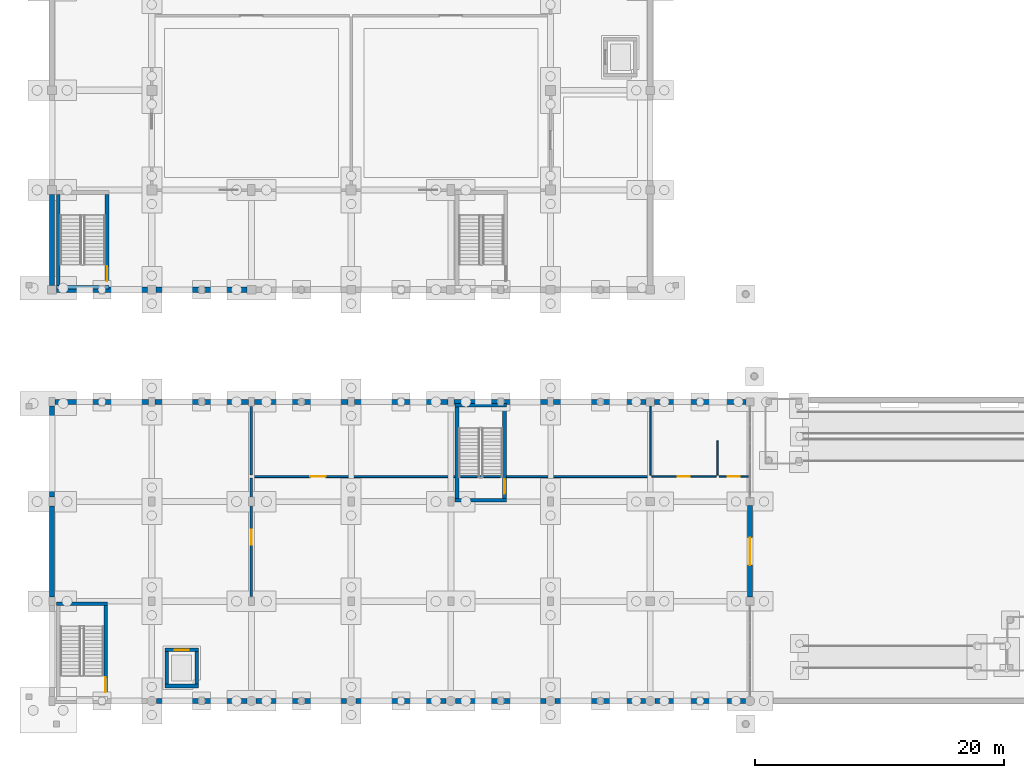
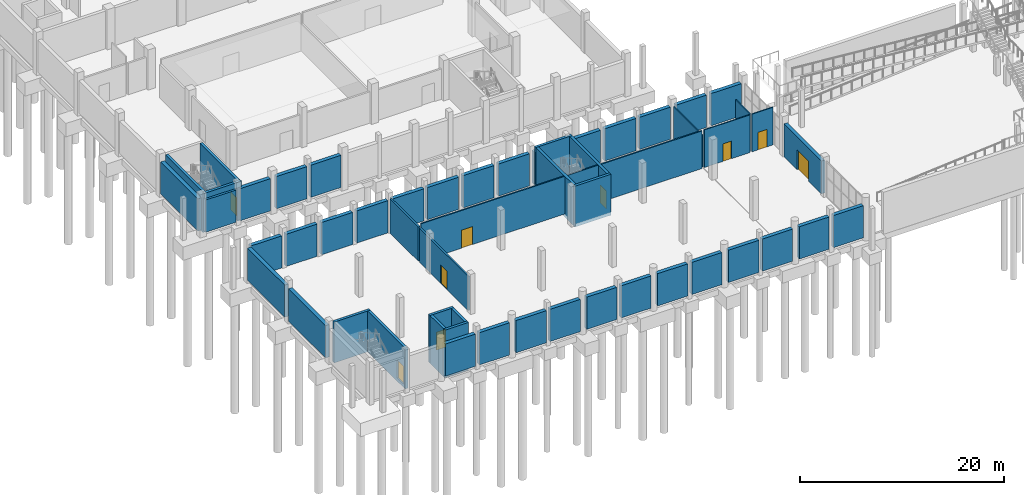
# One storey, part 25 of 52: 54 walls, 9 doors, 9 openings.
"""IFC4 building model written with IfcOpenShell, lengths in metres."""

from ifc_helpers import new_model, si_unit, direction, frame, frame_2d, origin, place, context, subcontext, project, spatial, rectangle, extrude, material, layer, layer_set, type_object, element, fill, save


model = new_model("IFC4")

# Units and contexts
model_context = context("Model", 3, precision=1e-05, world=origin(), true_north=direction((0.0, 1.0)))
body_context = subcontext(model_context, "Body", "Model", "MODEL_VIEW")
ifc_project = project(units=[si_unit("LENGTHUNIT", "METRE"), si_unit("AREAUNIT", "SQUARE_METRE"), si_unit("VOLUMEUNIT", "CUBIC_METRE"), si_unit("PLANEANGLEUNIT", "RADIAN"), si_unit("MASSUNIT", "GRAM", prefix="KILO")], contexts=[model_context])

# Site, building, storey
site_placement = place(None, origin())
site = spatial("IfcSite", under=ifc_project, at=site_placement, CompositionType="ELEMENT")
building_placement = place(site_placement, origin())
building = spatial("IfcBuilding", under=site, at=building_placement, Name="Luwemba Playhouse", CompositionType="ELEMENT")
storey_placement = place(building_placement, frame((0.0, 0.0, -4.800048828125)))
storey = spatial("IfcBuildingStorey", under=building, at=storey_placement, Name="B1", CompositionType="ELEMENT", Elevation=-4.800048828125)

# Wall, opening, door
ifc_material_1 = material(Name="Clay facing brick obra vista masonry", Category="masonry")
ifc_layer_1 = layer(ifc_material_1, 0.3798828125)
ifc_layer_set_1 = layer_set([ifc_layer_1], Name="Clay facing brick obra vista masonry")
wall_type_1 = type_object("IfcWallType", Name="WAL-BRK-380", PredefinedType="SOLIDWALL", material=ifc_layer_set_1)
wall_1_placement = place(storey_placement, frame((60.0, 18.675048828125, 0.0), z_axis=(0.0, 0.0, 1.0), x_axis=(0.0, -1.0, 0.0)))
wall_1 = element("IfcWall", 1, at=wall_1_placement, inside=storey, type_object=wall_type_1, Name="B1 Sunken Forecourt concourse portal wall 0001", PredefinedType="SOLIDWALL", context=body_context, shape_type="SweptSolid", body=[
    extrude(rectangle(XDim=7.35009765625, YDim=0.3798828125, at=frame_2d((3.675048828125, 0.0))), origin(), (0.0, 0.0, 1.0), 3.93505859375),
])
opening_1_placement = place(wall_1_placement, frame((2.574951171875, 0.0, 0.0)))
opening_1 = element("IfcOpeningElement", 2, at=opening_1_placement, cuts=wall_1, Name="Opening D-EX2", PredefinedType="OPENING", context=body_context, shape_type="SweptSolid", body=[
    extrude(rectangle(XDim=2.199951171875, YDim=2.39990234375, at=frame_2d((1.10009765625, 1.199951171875))), frame((0.0, 0.199951171875, 0.0), z_axis=(0.0, -1.0, 0.0), x_axis=(1.0, 0.0, 0.0)), (0.0, 0.0, 1.0), 0.39990234375),
])
ifc_material_2 = material(Name="Architectural bronze-anodised aluminium and glazed leaf", Category="aluminium")
door_type_1 = type_object("IfcDoorType", Name="DR-EXIT-220", OperationType="NOTDEFINED", PredefinedType="DOOR", material=ifc_material_2)
door_1_placement = place(opening_1_placement, origin())
door_1 = element("IfcDoor", 3, at=door_1_placement, inside=storey, type_object=door_type_1, Name="B1 Metro Concourse forecourt entrance V5W", OperationType="DOUBLE_DOOR_SINGLE_SWING", OverallHeight=2.39990234375, OverallWidth=2.199951171875, PredefinedType="DOOR", context=body_context, shape_type="SweptSolid", body=[
    extrude(rectangle(XDim=2.199951171875, YDim=2.39990234375, at=frame_2d((1.10009765625, 1.199951171875))), frame((0.0, 0.02490234375, 0.0), z_axis=(0.0, -1.0, 0.0), x_axis=(1.0, 0.0, 0.0)), (0.0, 0.0, 1.0), 0.050048828125),
])
fill(opening_1, door_1)

# Walls
ifc_material_3 = material(Name="Concrete C40/50", Category="concrete")
ifc_layer_2 = layer(ifc_material_3, 0.300048828125)
ifc_layer_set_2 = layer_set([ifc_layer_2], Name="Concrete C40/50")
wall_type_2 = type_object("IfcWallType", Name="WAL-CORE-300", PredefinedType="SHEAR", material=ifc_layer_set_2)
wall_2_placement = place(storey_placement, frame((4.35009765625, 36.18994140625, 3.85009765625), z_axis=(0.0, 0.0, 1.0), x_axis=(1.0, 0.0, 0.0)))
element("IfcWall", 4, at=wall_2_placement, inside=storey, type_object=wall_type_2, Name="B1 ST-01 stair core wall S", PredefinedType="SHEAR", context=body_context, shape_type="SweptSolid", body=[
    extrude(rectangle(XDim=4.199951171875, YDim=0.300048828125, at=frame_2d((2.10009765625, 0.0))), origin(), (0.0, 0.0, 1.0), 0.64990234375),
])
wall_3_placement = place(storey_placement, frame((4.5, 36.340087890625, -0.3798828125), z_axis=(0.0, 0.0, 1.0), x_axis=(0.0, 1.0, 0.0)))
element("IfcWall", 5, at=wall_3_placement, inside=storey, type_object=wall_type_2, Name="B1 ST-01 stair core wall W", PredefinedType="SHEAR", context=body_context, shape_type="SweptSolid", body=[
    extrude(rectangle(XDim=7.31982421875, YDim=0.300048828125, at=frame_2d((3.659912109375, 0.0))), origin(), (0.0, 0.0, 1.0), 4.8798828125),
])

# Wall, opening, door
wall_4_placement = place(storey_placement, frame((8.39990234375, 36.340087890625, -0.3798828125), z_axis=(0.0, 0.0, 1.0), x_axis=(0.0, 1.0, 0.0)))
wall_4 = element("IfcWall", 6, at=wall_4_placement, inside=storey, type_object=wall_type_2, Name="B1 ST-01 stair core wall E", PredefinedType="SHEAR", context=body_context, shape_type="SweptSolid", body=[
    extrude(rectangle(XDim=7.31982421875, YDim=0.300048828125, at=frame_2d((3.659912109375, 0.0))), origin(), (0.0, 0.0, 1.0), 4.8798828125),
])
opening_2_placement = place(wall_4_placement, frame((0.35009765625, 0.0, 0.3798828125)))
opening_2 = element("IfcOpeningElement", 7, at=opening_2_placement, cuts=wall_4, Name="Opening D-STAIR3", PredefinedType="OPENING", context=body_context, shape_type="SweptSolid", body=[
    extrude(rectangle(XDim=1.199951171875, YDim=2.14990234375, at=frame_2d((0.60009765625, 1.074951171875))), frame((0.0, 0.159912109375, 0.0), z_axis=(0.0, -1.0, 0.0), x_axis=(1.0, 0.0, 0.0)), (0.0, 0.0, 1.0), 0.320068359375),
])
ifc_material_4 = material(Name="Hardwood acoustic fire door leaf", Category="wood")
door_type_2 = type_object("IfcDoorType", Name="DR-STAIR-120", OperationType="NOTDEFINED", PredefinedType="DOOR", material=ifc_material_4)
door_2_placement = place(opening_2_placement, origin())
door_2 = element("IfcDoor", 8, at=door_2_placement, inside=storey, type_object=door_type_2, Name="B1 ST-01 protected stair entry door", OperationType="SINGLE_SWING_RIGHT", OverallHeight=2.14990234375, OverallWidth=1.199951171875, PredefinedType="DOOR", context=body_context, shape_type="SweptSolid", body=[
    extrude(rectangle(XDim=1.199951171875, YDim=2.14990234375, at=frame_2d((0.60009765625, 1.074951171875))), frame((0.0, 0.02490234375, 0.0), z_axis=(0.0, -1.0, 0.0), x_axis=(1.0, 0.0, 0.0)), (0.0, 0.0, 1.0), 0.050048828125),
])
fill(opening_2, door_2)

# Wall
wall_5_placement = place(storey_placement, frame((8.449951171875, 10.81005859375, -0.3798828125), z_axis=(0.0, 0.0, 1.0), x_axis=(-1.0, 0.0, 0.0)))
element("IfcWall", 9, at=wall_5_placement, inside=storey, type_object=wall_type_2, Name="B1 ST-04 stair core wall N", PredefinedType="SHEAR", context=body_context, shape_type="SweptSolid", body=[
    extrude(rectangle(XDim=4.099853515625, YDim=0.300048828125, at=frame_2d((2.0498046875, 0.0))), origin(), (0.0, 0.0, 1.0), 4.8798828125),
])

# Wall, opening, door
wall_6_placement = place(storey_placement, frame((8.300048828125, 3.340087890625, -0.3798828125), z_axis=(0.0, 0.0, 1.0), x_axis=(0.0, 1.0, 0.0)))
wall_6 = element("IfcWall", 10, at=wall_6_placement, inside=storey, type_object=wall_type_2, Name="B1 ST-04 stair core wall E", PredefinedType="SHEAR", context=body_context, shape_type="SweptSolid", body=[
    extrude(rectangle(XDim=7.31982421875, YDim=0.300048828125, at=frame_2d((3.659912109375, 0.0))), origin(), (0.0, 0.0, 1.0), 4.8798828125),
])
opening_3_placement = place(wall_6_placement, frame((0.35009765625, 0.0, 0.3798828125)))
opening_3 = element("IfcOpeningElement", 11, at=opening_3_placement, cuts=wall_6, Name="Opening D-STAIR3", PredefinedType="OPENING", context=body_context, shape_type="SweptSolid", body=[
    extrude(rectangle(XDim=1.199951171875, YDim=2.14990234375, at=frame_2d((0.60009765625, 1.074951171875))), frame((0.0, 0.159912109375, 0.0), z_axis=(0.0, -1.0, 0.0), x_axis=(1.0, 0.0, 0.0)), (0.0, 0.0, 1.0), 0.320068359375),
])
door_3_placement = place(opening_3_placement, origin())
door_3 = element("IfcDoor", 12, at=door_3_placement, inside=storey, type_object=door_type_2, Name="B1 ST-04 protected stair entry door", OperationType="SINGLE_SWING_LEFT", OverallHeight=2.14990234375, OverallWidth=1.199951171875, PredefinedType="DOOR", context=body_context, shape_type="SweptSolid", body=[
    extrude(rectangle(XDim=1.199951171875, YDim=2.14990234375, at=frame_2d((0.60009765625, 1.074951171875))), frame((0.0, 0.02490234375, 0.0), z_axis=(0.0, -1.0, 0.0), x_axis=(1.0, 0.0, 0.0)), (0.0, 0.0, 1.0), 0.050048828125),
])
fill(opening_3, door_3)

# Walls
for number, where, z_axis, x_axis, name in (
    (13, (36.35009765625, 19.110107421875, -0.3798828125), (0.0, 0.0, 1.0), (1.0, 0.0, 0.0), "B1 ST-13 stair core wall S"),
    (14, (40.449951171875, 26.72998046875, -0.3798828125), (0.0, 0.0, 1.0), (-1.0, 0.0, 0.0), "B1 ST-13 stair core wall N"),
):
    element("IfcWall", number, at=place(storey_placement, frame(where, z_axis=z_axis, x_axis=x_axis)), inside=storey, type_object=wall_type_2, Name=name, PredefinedType="SHEAR", context=body_context, shape_type="SweptSolid", body=[
        extrude(rectangle(XDim=4.099853515625, YDim=0.300048828125, at=frame_2d((2.0498046875, 0.0))), origin(), (0.0, 0.0, 1.0), 4.8798828125),
    ])
wall_7_placement = place(storey_placement, frame((36.5, 19.260009765625, -0.3798828125), z_axis=(0.0, 0.0, 1.0), x_axis=(0.0, 1.0, 0.0)))
element("IfcWall", 15, at=wall_7_placement, inside=storey, type_object=wall_type_2, Name="B1 ST-13 stair core wall W", PredefinedType="SHEAR", context=body_context, shape_type="SweptSolid", body=[
    extrude(rectangle(XDim=7.320068359375, YDim=0.300048828125, at=frame_2d((3.66015625, 0.0))), origin(), (0.0, 0.0, 1.0), 4.8798828125),
])

# Wall, opening, door
wall_8_placement = place(storey_placement, frame((40.300048828125, 19.260009765625, -0.3798828125), z_axis=(0.0, 0.0, 1.0), x_axis=(0.0, 1.0, 0.0)))
wall_8 = element("IfcWall", 16, at=wall_8_placement, inside=storey, type_object=wall_type_2, Name="B1 ST-13 stair core wall E", PredefinedType="SHEAR", context=body_context, shape_type="SweptSolid", body=[
    extrude(rectangle(XDim=7.320068359375, YDim=0.300048828125, at=frame_2d((3.66015625, 0.0))), origin(), (0.0, 0.0, 1.0), 4.8798828125),
])
opening_4_placement = place(wall_8_placement, frame((0.35009765625, 0.0, 0.3798828125)))
opening_4 = element("IfcOpeningElement", 17, at=opening_4_placement, cuts=wall_8, Name="Opening D-STAIR3", PredefinedType="OPENING", context=body_context, shape_type="SweptSolid", body=[
    extrude(rectangle(XDim=1.199951171875, YDim=2.14990234375, at=frame_2d((0.60009765625, 1.074951171875))), frame((0.0, 0.159912109375, 0.0), z_axis=(0.0, -1.0, 0.0), x_axis=(1.0, 0.0, 0.0)), (0.0, 0.0, 1.0), 0.320068359375),
])
door_4_placement = place(opening_4_placement, origin())
door_4 = element("IfcDoor", 18, at=door_4_placement, inside=storey, type_object=door_type_2, Name="B1 ST-13 protected stair entry door", OperationType="SINGLE_SWING_RIGHT", OverallHeight=2.14990234375, OverallWidth=1.199951171875, PredefinedType="DOOR", context=body_context, shape_type="SweptSolid", body=[
    extrude(rectangle(XDim=1.199951171875, YDim=2.14990234375, at=frame_2d((0.60009765625, 1.074951171875))), frame((0.0, 0.02490234375, 0.0), z_axis=(0.0, -1.0, 0.0), x_axis=(1.0, 0.0, 0.0)), (0.0, 0.0, 1.0), 0.050048828125),
])
fill(opening_4, door_4)

# Wall
wall_9_placement = place(storey_placement, frame((13.050048828125, 4.199951171875, -1.199951171875), z_axis=(0.0, 0.0, 1.0), x_axis=(1.0, 0.0, 0.0)))
element("IfcWall", 19, at=wall_9_placement, inside=storey, type_object=wall_type_2, Name="B1 Lift LF-P4 shaft wall S", PredefinedType="SHEAR", context=body_context, shape_type="SweptSolid", body=[
    extrude(rectangle(XDim=2.699951171875, YDim=0.300048828125, at=frame_2d((1.35009765625, 0.0))), origin(), (0.0, 0.0, 1.0), 5.699951171875),
])

# Wall, opening, door
wall_10_placement = place(storey_placement, frame((15.75, 7.10009765625, -1.199951171875), z_axis=(0.0, 0.0, 1.0), x_axis=(-1.0, 0.0, 0.0)))
wall_10 = element("IfcWall", 20, at=wall_10_placement, inside=storey, type_object=wall_type_2, Name="B1 Lift LF-P4 shaft wall N", PredefinedType="SHEAR", context=body_context, shape_type="SweptSolid", body=[
    extrude(rectangle(XDim=2.699951171875, YDim=0.300048828125, at=frame_2d((1.35009765625, 0.0))), origin(), (0.0, 0.0, 1.0), 5.699951171875),
])
opening_5_placement = place(wall_10_placement, frame((0.800048828125, 0.0, 1.199951171875)))
opening_5 = element("IfcOpeningElement", 21, at=opening_5_placement, cuts=wall_10, Name="Opening LD-01", PredefinedType="OPENING", context=body_context, shape_type="SweptSolid", body=[
    extrude(rectangle(XDim=1.10009765625, YDim=2.14990234375, at=frame_2d((0.550048828125, 1.074951171875))), frame((0.0, 0.159912109375, 0.0), z_axis=(0.0, -1.0, 0.0), x_axis=(1.0, 0.0, 0.0)), (0.0, 0.0, 1.0), 0.320068359375),
])
ifc_material_5 = material(Name="Stainless steel lift landing doors", Category="steel")
door_type_3 = type_object("IfcDoorType", Name="DR-LIFT-110", OperationType="NOTDEFINED", PredefinedType="DOOR", material=ifc_material_5)
door_5_placement = place(opening_5_placement, origin())
door_5 = element("IfcDoor", 22, at=door_5_placement, inside=storey, type_object=door_type_3, Name="B1 Lift LF-P4 landing door", OperationType="DOUBLE_DOOR_SLIDING", OverallHeight=2.14990234375, OverallWidth=1.10009765625, PredefinedType="DOOR", context=body_context, shape_type="SweptSolid", body=[
    extrude(rectangle(XDim=1.10009765625, YDim=2.14990234375, at=frame_2d((0.550048828125, 1.074951171875))), frame((0.0, 0.02490234375, 0.0), z_axis=(0.0, -1.0, 0.0), x_axis=(1.0, 0.0, 0.0)), (0.0, 0.0, 1.0), 0.050048828125),
])
fill(opening_5, door_5)

# Walls
for number, where, z_axis, x_axis, name in (
    (23, (13.199951171875, 4.35009765625, -1.199951171875), (0.0, 0.0, 1.0), (0.0, 1.0, 0.0), "B1 Lift LF-P4 shaft wall W"),
    (24, (15.60009765625, 6.949951171875, -1.199951171875), (0.0, 0.0, 1.0), (0.0, -1.0, 0.0), "B1 Lift LF-P4 shaft wall E"),
):
    element("IfcWall", number, at=place(storey_placement, frame(where, z_axis=z_axis, x_axis=x_axis)), inside=storey, type_object=wall_type_2, Name=name, PredefinedType="SHEAR", context=body_context, shape_type="SweptSolid", body=[
        extrude(rectangle(XDim=2.599853515625, YDim=0.300048828125, at=frame_2d((1.2998046875, 0.0))), origin(), (0.0, 0.0, 1.0), 5.699951171875),
    ])

# Wall, opening, door
ifc_material_6 = material(Name="Moisture-resistant sanitary partition", Category="gypsum")
ifc_layer_3 = layer(ifc_material_6, 0.1201171875)
ifc_layer_set_3 = layer_set([ifc_layer_3], Name="Moisture-resistant sanitary partition")
wall_type_3 = type_object("IfcWallType", Name="WAL-INT-120", PredefinedType="PARTITIONING", material=ifc_layer_set_3)
wall_11_placement = place(storey_placement, frame((52.1201171875, 21.0, 0.0), z_axis=(0.0, 0.0, 1.0), x_axis=(1.0, 0.0, 0.0)))
wall_11 = element("IfcWall", 25, at=wall_11_placement, inside=storey, type_object=wall_type_3, Name="B1 V5W interior partition 0046", PredefinedType="PARTITIONING", context=body_context, shape_type="SweptSolid", body=[
    extrude(rectangle(XDim=5.159912109375, YDim=0.1201171875, at=frame_2d((2.580078125, 0.0))), origin(), (0.0, 0.0, 1.0), 4.5),
])
opening_6_placement = place(wall_11_placement, frame((2.10498046875, 0.0, 0.0)))
opening_6 = element("IfcOpeningElement", 26, at=opening_6_placement, cuts=wall_11, Name="Opening D-WC1", PredefinedType="OPENING", context=body_context, shape_type="SweptSolid", body=[
    extrude(rectangle(XDim=0.949951171875, YDim=2.10009765625, at=frame_2d((0.47509765625, 1.050048828125))), frame((0.0, 0.070068359375, 0.0), z_axis=(0.0, -1.0, 0.0), x_axis=(1.0, 0.0, 0.0)), (0.0, 0.0, 1.0), 0.14013671875),
])
ifc_material_7 = material(Name="Moisture-resistant laminate door", Category="wood")
door_type_4 = type_object("IfcDoorType", Name="DR-WC-095", OperationType="NOTDEFINED", PredefinedType="DOOR", material=ifc_material_7)
door_6_placement = place(opening_6_placement, origin())
door_6 = element("IfcDoor", 27, at=door_6_placement, inside=storey, type_object=door_type_4, Name="B1 Lower Grand Foyer and Metro Vestibule to Lower Foyer Interval Public Toilets door", OperationType="SINGLE_SWING_RIGHT", OverallHeight=2.10009765625, OverallWidth=0.949951171875, PredefinedType="DOOR", context=body_context, shape_type="SweptSolid", body=[
    extrude(rectangle(XDim=0.949951171875, YDim=2.10009765625, at=frame_2d((0.47509765625, 1.050048828125))), frame((0.0, 0.02490234375, 0.0), z_axis=(0.0, -1.0, 0.0), x_axis=(1.0, 0.0, 0.0)), (0.0, 0.0, 1.0), 0.050048828125),
])
fill(opening_6, door_6)

wall_12_placement = place(storey_placement, frame((57.52001953125, 21.0, 0.0), z_axis=(0.0, 0.0, 1.0), x_axis=(1.0, 0.0, 0.0)))
wall_12 = element("IfcWall", 28, at=wall_12_placement, inside=storey, type_object=wall_type_3, Name="B1 V5W interior partition 0047", PredefinedType="PARTITIONING", context=body_context, shape_type="SweptSolid", body=[
    extrude(rectangle(XDim=2.35986328125, YDim=0.1201171875, at=frame_2d((1.179931640625, 0.0))), origin(), (0.0, 0.0, 1.0), 4.5),
])
opening_7_placement = place(wall_12_placement, frame((0.679931640625, 0.0, 0.0)))
opening_7 = element("IfcOpeningElement", 29, at=opening_7_placement, cuts=wall_12, Name="Opening D-AWC", PredefinedType="OPENING", context=body_context, shape_type="SweptSolid", body=[
    extrude(rectangle(XDim=1.0, YDim=2.10009765625, at=frame_2d((0.5, 1.050048828125))), frame((0.0, 0.070068359375, 0.0), z_axis=(0.0, -1.0, 0.0), x_axis=(1.0, 0.0, 0.0)), (0.0, 0.0, 1.0), 0.14013671875),
])
ifc_material_8 = material(Name="Accessible WC outward-assisted timber door", Category="wood")
door_type_5 = type_object("IfcDoorType", Name="DR-AWC-100", OperationType="NOTDEFINED", PredefinedType="DOOR", material=ifc_material_8)
door_7_placement = place(opening_7_placement, origin())
door_7 = element("IfcDoor", 30, at=door_7_placement, inside=storey, type_object=door_type_5, Name="B1 Lower Grand Foyer and Metro Vestibule to Lower Foyer Accessible WC door", OperationType="SINGLE_SWING_LEFT", OverallHeight=2.10009765625, OverallWidth=1.0, PredefinedType="DOOR", context=body_context, shape_type="SweptSolid", body=[
    extrude(rectangle(XDim=1.0, YDim=2.10009765625, at=frame_2d((0.5, 1.050048828125))), frame((0.0, 0.02490234375, 0.0), z_axis=(0.0, -1.0, 0.0), x_axis=(1.0, 0.0, 0.0)), (0.0, 0.0, 1.0), 0.050048828125),
])
fill(opening_7, door_7)

# Walls
wall_13_placement = place(storey_placement, frame((52.0, 21.1201171875, 0.0), z_axis=(0.0, 0.0, 1.0), x_axis=(0.0, 1.0, 0.0)))
element("IfcWall", 31, at=wall_13_placement, inside=storey, type_object=wall_type_3, Name="B1 V5W interior partition 0049", PredefinedType="PARTITIONING", context=body_context, shape_type="SweptSolid", body=[
    extrude(rectangle(XDim=5.534912109375, YDim=0.1201171875, at=frame_2d((2.767578125, 0.0))), origin(), (0.0, 0.0, 1.0), 3.885009765625),
])
wall_14_placement = place(storey_placement, frame((57.39990234375, 21.1201171875, 0.0), z_axis=(0.0, 0.0, 1.0), x_axis=(0.0, 1.0, 0.0)))
element("IfcWall", 32, at=wall_14_placement, inside=storey, type_object=wall_type_3, Name="B1 V5W interior partition 0051", PredefinedType="PARTITIONING", context=body_context, shape_type="SweptSolid", body=[
    extrude(rectangle(XDim=2.759765625, YDim=0.1201171875, at=frame_2d((1.3798828125, 0.0))), origin(), (0.0, 0.0, 1.0), 4.5),
])

# Wall, opening, door
ifc_material_9 = material(Name="Acoustic gypsum stud partition", Category="gypsum")
ifc_layer_4 = layer(ifc_material_9, 0.14990234375)
ifc_layer_set_4 = layer_set([ifc_layer_4], Name="Acoustic gypsum stud partition")
wall_type_4 = type_object("IfcWallType", Name="WAL-INT-150", PredefinedType="PARTITIONING", material=ifc_layer_set_4)
wall_15_placement = place(storey_placement, frame((20.1201171875, 21.0, 0.0), z_axis=(0.0, 0.0, 1.0), x_axis=(1.0, 0.0, 0.0)))
wall_15 = element("IfcWall", 33, at=wall_15_placement, inside=storey, type_object=wall_type_4, Name="B1 V5W interior partition 0045", PredefinedType="PARTITIONING", context=body_context, shape_type="SweptSolid", body=[
    extrude(rectangle(XDim=31.759765625, YDim=0.14990234375, at=frame_2d((15.8798828125, 0.0))), origin(), (0.0, 0.0, 1.0), 4.5),
])
opening_8_placement = place(wall_15_placement, frame((4.576416015625, 0.0, 0.0)))
opening_8 = element("IfcOpeningElement", 34, at=opening_8_placement, cuts=wall_15, Name="Opening D-IN1", PredefinedType="OPENING", context=body_context, shape_type="SweptSolid", body=[
    extrude(rectangle(XDim=1.25, YDim=2.14990234375, at=frame_2d((0.625, 1.074951171875))), frame((0.0, 0.0849609375, 0.0), z_axis=(0.0, -1.0, 0.0), x_axis=(1.0, 0.0, 0.0)), (0.0, 0.0, 1.0), 0.169921875),
])
ifc_material_10 = material(Name="Solid hardwood interior door", Category="wood")
door_type_6 = type_object("IfcDoorType", Name="DR-INT-125", OperationType="NOTDEFINED", PredefinedType="DOOR", material=ifc_material_10)
door_8_placement = place(opening_8_placement, origin())
door_8 = element("IfcDoor", 35, at=door_8_placement, inside=storey, type_object=door_type_6, Name="B1 Lower Grand Foyer and Metro Vestibule to Kampala Performing Arts Heritage Gallery door", OperationType="SINGLE_SWING_LEFT", OverallHeight=2.14990234375, OverallWidth=1.25, PredefinedType="DOOR", context=body_context, shape_type="SweptSolid", body=[
    extrude(rectangle(XDim=1.25, YDim=2.14990234375, at=frame_2d((0.625, 1.074951171875))), frame((0.0, 0.02490234375, 0.0), z_axis=(0.0, -1.0, 0.0), x_axis=(1.0, 0.0, 0.0)), (0.0, 0.0, 1.0), 0.050048828125),
])
fill(opening_8, door_8)

ifc_material_11 = material(Name="Clay acoustic masonry blockwork", Category="masonry")
ifc_layer_5 = layer(ifc_material_11, 0.199951171875)
ifc_layer_set_5 = layer_set([ifc_layer_5], Name="Clay acoustic masonry blockwork")
wall_type_5 = type_object("IfcWallType", Name="WAL-INT-200", PredefinedType="PARTITIONING", material=ifc_layer_set_5)
wall_16_placement = place(storey_placement, frame((20.0, 11.3701171875, 0.0), z_axis=(0.0, 0.0, 1.0), x_axis=(0.0, 1.0, 0.0)))
wall_16 = element("IfcWall", 36, at=wall_16_placement, inside=storey, type_object=wall_type_5, Name="B1 V5W interior partition 0048", PredefinedType="PARTITIONING", context=body_context, shape_type="SweptSolid", body=[
    extrude(rectangle(XDim=9.509765625, YDim=0.199951171875, at=frame_2d((4.7548828125, 0.0))), origin(), (0.0, 0.0, 1.0), 4.094970703125),
])
opening_9_placement = place(wall_16_placement, frame((4.155029296875, 0.0, 0.0)))
opening_9 = element("IfcOpeningElement", 37, at=opening_9_placement, cuts=wall_16, Name="Opening D-FD120", PredefinedType="OPENING", context=body_context, shape_type="SweptSolid", body=[
    extrude(rectangle(XDim=1.199951171875, YDim=2.199951171875, at=frame_2d((0.60009765625, 1.10009765625))), frame((0.0, 0.10986328125, 0.0), z_axis=(0.0, -1.0, 0.0), x_axis=(1.0, 0.0, 0.0)), (0.0, 0.0, 1.0), 0.219970703125),
])
ifc_material_12 = material(Name="Steel-core fire command door leaf", Category="steel")
door_type_7 = type_object("IfcDoorType", Name="DR-FCC-120", OperationType="NOTDEFINED", PredefinedType="DOOR", material=ifc_material_12)
door_9_placement = place(opening_9_placement, origin())
door_9 = element("IfcDoor", 38, at=door_9_placement, inside=storey, type_object=door_type_7, Name="B1 Lower Grand Foyer and Metro Vestibule to Foyer Chilled-Water Sub-Plant Room door", OperationType="SINGLE_SWING_RIGHT", OverallHeight=2.199951171875, OverallWidth=1.199951171875, PredefinedType="DOOR", context=body_context, shape_type="SweptSolid", body=[
    extrude(rectangle(XDim=1.199951171875, YDim=2.199951171875, at=frame_2d((0.60009765625, 1.10009765625))), frame((0.0, 0.02490234375, 0.0), z_axis=(0.0, -1.0, 0.0), x_axis=(1.0, 0.0, 0.0)), (0.0, 0.0, 1.0), 0.050048828125),
])
fill(opening_9, door_9)

# Walls
wall_17_placement = place(storey_placement, frame((20.0, 21.1201171875, 0.0), z_axis=(0.0, 0.0, 1.0), x_axis=(0.0, 1.0, 0.0)))
element("IfcWall", 39, at=wall_17_placement, inside=storey, type_object=wall_type_5, Name="B1 V5W interior partition 0050", PredefinedType="PARTITIONING", context=body_context, shape_type="SweptSolid", body=[
    extrude(rectangle(XDim=5.509765625, YDim=0.199951171875, at=frame_2d((2.7548828125, 0.0))), origin(), (0.0, 0.0, 1.0), 4.094970703125),
])
ifc_material_13 = material(Name="Concrete C32/40", Category="concrete")
ifc_layer_6 = layer(ifc_material_13, 0.419921875)
ifc_layer_set_6 = layer_set([ifc_layer_6], Name="Concrete C32/40")
wall_type_6 = type_object("IfcWallType", Name="WAL-RET-420", PredefinedType="USERDEFINED", material=ifc_layer_set_6)
wall_18_placement = place(storey_placement, frame((4.0, 36.35009765625, 0.0), z_axis=(0.0, 0.0, 1.0), x_axis=(0.0, 1.0, 0.0)))
element("IfcWall", 40, at=wall_18_placement, inside=storey, type_object=wall_type_6, Name="Basement retaining wall 001", ObjectType="RETAINING WALL", PredefinedType="USERDEFINED", context=body_context, shape_type="SweptSolid", body=[
    extrude(rectangle(XDim=7.2998046875, YDim=0.419921875, at=frame_2d((3.64990234375, 0.0))), origin(), (0.0, 0.0, 1.0), 3.85009765625),
])
for number, where, z_axis, x_axis, name in (
    (41, (19.64990234375, 36.0, 0.0), (0.0, 0.0, 1.0), (-1.0, 0.0, 0.0), "Basement retaining wall 017"),
    (42, (15.77490234375, 36.0, 0.0), (0.0, 0.0, 1.0), (-1.0, 0.0, 0.0), "Basement retaining wall 018"),
):
    element("IfcWall", number, at=place(storey_placement, frame(where, z_axis=z_axis, x_axis=x_axis)), inside=storey, type_object=wall_type_6, Name=name, ObjectType="RETAINING WALL", PredefinedType="USERDEFINED", context=body_context, shape_type="SweptSolid", body=[
        extrude(rectangle(XDim=3.4248046875, YDim=0.419921875, at=frame_2d((1.71240234375, 0.0))), origin(), (0.0, 0.0, 1.0), 3.85009765625),
    ])
for number, where, z_axis, x_axis, name in (
    (43, (11.64990234375, 36.0, 0.0), (0.0, 0.0, 1.0), (-1.0, 0.0, 0.0), "Basement retaining wall 019"),
    (44, (7.75, 36.0, 0.0), (0.0, 0.0, 1.0), (-1.0, 0.0, 0.0), "Basement retaining wall 020"),
):
    element("IfcWall", number, at=place(storey_placement, frame(where, z_axis=z_axis, x_axis=x_axis)), inside=storey, type_object=wall_type_6, Name=name, ObjectType="RETAINING WALL", PredefinedType="USERDEFINED", context=body_context, shape_type="SweptSolid", body=[
        extrude(rectangle(XDim=3.39990234375, YDim=0.419921875, at=frame_2d((1.699951171875, 0.0))), origin(), (0.0, 0.0, 1.0), 3.85009765625),
    ])
for number, where, z_axis, x_axis, name in (
    (45, (4.0, 11.35009765625, 0.0), (0.0, 0.0, 1.0), (0.0, 1.0, 0.0), "Basement retaining wall 090"),
    (46, (4.0, 19.35009765625, 0.0), (0.0, 0.0, 1.0), (0.0, 1.0, 0.0), "Basement retaining wall 091"),
):
    element("IfcWall", number, at=place(storey_placement, frame(where, z_axis=z_axis, x_axis=x_axis)), inside=storey, type_object=wall_type_6, Name=name, ObjectType="RETAINING WALL", PredefinedType="USERDEFINED", context=body_context, shape_type="SweptSolid", body=[
        extrude(rectangle(XDim=7.2998046875, YDim=0.419921875, at=frame_2d((3.64990234375, 0.0))), origin(), (0.0, 0.0, 1.0), 3.85009765625),
    ])
for number, where, z_axis, x_axis, name in (
    (47, (4.25, 27.0, 0.0), (0.0, 0.0, 1.0), (1.0, 0.0, 0.0), "Basement retaining wall 092"),
    (48, (8.25, 27.0, 0.0), (0.0, 0.0, 1.0), (1.0, 0.0, 0.0), "Basement retaining wall 093"),
):
    element("IfcWall", number, at=place(storey_placement, frame(where, z_axis=z_axis, x_axis=x_axis)), inside=storey, type_object=wall_type_6, Name=name, ObjectType="RETAINING WALL", PredefinedType="USERDEFINED", context=body_context, shape_type="SweptSolid", body=[
        extrude(rectangle(XDim=3.5, YDim=0.419921875, at=frame_2d((1.75, 0.0))), origin(), (0.0, 0.0, 1.0), 3.85009765625),
    ])
for number, where, z_axis, x_axis, name in (
    (49, (12.25, 27.0, 0.0), (0.0, 0.0, 1.0), (1.0, 0.0, 0.0), "Basement retaining wall 094"),
    (50, (16.22509765625, 27.0, 0.0), (0.0, 0.0, 1.0), (1.0, 0.0, 0.0), "Basement retaining wall 095"),
):
    element("IfcWall", number, at=place(storey_placement, frame(where, z_axis=z_axis, x_axis=x_axis)), inside=storey, type_object=wall_type_6, Name=name, ObjectType="RETAINING WALL", PredefinedType="USERDEFINED", context=body_context, shape_type="SweptSolid", body=[
        extrude(rectangle(XDim=3.52490234375, YDim=0.419921875, at=frame_2d((1.762451171875, 0.0))), origin(), (0.0, 0.0, 1.0), 3.85009765625),
    ])
for number, where, z_axis, x_axis, name in (
    (51, (20.25, 27.0, 0.0), (0.0, 0.0, 1.0), (1.0, 0.0, 0.0), "Basement retaining wall 096"),
    (52, (24.199951171875, 27.0, 0.0), (0.0, 0.0, 1.0), (1.0, 0.0, 0.0), "Basement retaining wall 097"),
):
    element("IfcWall", number, at=place(storey_placement, frame(where, z_axis=z_axis, x_axis=x_axis)), inside=storey, type_object=wall_type_6, Name=name, ObjectType="RETAINING WALL", PredefinedType="USERDEFINED", context=body_context, shape_type="SweptSolid", body=[
        extrude(rectangle(XDim=3.550048828125, YDim=0.419921875, at=frame_2d((1.77490234375, 0.0))), origin(), (0.0, 0.0, 1.0), 3.85009765625),
    ])
for number, where, z_axis, x_axis, name in (
    (53, (28.25, 27.0, 0.0), (0.0, 0.0, 1.0), (1.0, 0.0, 0.0), "Basement retaining wall 098"),
    (54, (32.25, 27.0, 0.0), (0.0, 0.0, 1.0), (1.0, 0.0, 0.0), "Basement retaining wall 099"),
):
    element("IfcWall", number, at=place(storey_placement, frame(where, z_axis=z_axis, x_axis=x_axis)), inside=storey, type_object=wall_type_6, Name=name, ObjectType="RETAINING WALL", PredefinedType="USERDEFINED", context=body_context, shape_type="SweptSolid", body=[
        extrude(rectangle(XDim=3.5, YDim=0.419921875, at=frame_2d((1.75, 0.0))), origin(), (0.0, 0.0, 1.0), 3.85009765625),
    ])
for number, where, z_axis, x_axis, name in (
    (55, (36.25, 27.0, 0.0), (0.0, 0.0, 1.0), (1.0, 0.0, 0.0), "Basement retaining wall 100"),
    (56, (40.22509765625, 27.0, 0.0), (0.0, 0.0, 1.0), (1.0, 0.0, 0.0), "Basement retaining wall 101"),
):
    element("IfcWall", number, at=place(storey_placement, frame(where, z_axis=z_axis, x_axis=x_axis)), inside=storey, type_object=wall_type_6, Name=name, ObjectType="RETAINING WALL", PredefinedType="USERDEFINED", context=body_context, shape_type="SweptSolid", body=[
        extrude(rectangle(XDim=3.52490234375, YDim=0.419921875, at=frame_2d((1.762451171875, 0.0))), origin(), (0.0, 0.0, 1.0), 3.85009765625),
    ])
wall_19_placement = place(storey_placement, frame((44.25, 27.0, 0.0), z_axis=(0.0, 0.0, 1.0), x_axis=(1.0, 0.0, 0.0)))
element("IfcWall", 57, at=wall_19_placement, inside=storey, type_object=wall_type_6, Name="Basement retaining wall 102", ObjectType="RETAINING WALL", PredefinedType="USERDEFINED", context=body_context, shape_type="SweptSolid", body=[
    extrude(rectangle(XDim=3.550048828125, YDim=0.419921875, at=frame_2d((1.77490234375, 0.0))), origin(), (0.0, 0.0, 1.0), 3.85009765625),
])
wall_20_placement = place(storey_placement, frame((48.199951171875, 27.0, 0.0), z_axis=(0.0, 0.0, 1.0), x_axis=(1.0, 0.0, 0.0)))
element("IfcWall", 58, at=wall_20_placement, inside=storey, type_object=wall_type_6, Name="Basement retaining wall 103", ObjectType="RETAINING WALL", PredefinedType="USERDEFINED", context=body_context, shape_type="SweptSolid", body=[
    extrude(rectangle(XDim=3.47509765625, YDim=0.419921875, at=frame_2d((1.737548828125, 0.0))), origin(), (0.0, 0.0, 1.0), 3.85009765625),
])
for number, where, z_axis, x_axis, name in (
    (59, (52.324951171875, 27.0, 0.0), (0.0, 0.0, 1.0), (1.0, 0.0, 0.0), "Basement retaining wall 104"),
    (60, (56.25, 27.0, 0.0), (0.0, 0.0, 1.0), (1.0, 0.0, 0.0), "Basement retaining wall 105"),
):
    element("IfcWall", number, at=place(storey_placement, frame(where, z_axis=z_axis, x_axis=x_axis)), inside=storey, type_object=wall_type_6, Name=name, ObjectType="RETAINING WALL", PredefinedType="USERDEFINED", context=body_context, shape_type="SweptSolid", body=[
        extrude(rectangle(XDim=3.425048828125, YDim=0.419921875, at=frame_2d((1.71240234375, 0.0))), origin(), (0.0, 0.0, 1.0), 3.85009765625),
    ])
for number, where, z_axis, x_axis, name in (
    (61, (59.625, 3.0, 0.0), (0.0, 0.0, 1.0), (-1.0, 0.0, 0.0), "Basement retaining wall 106"),
    (62, (55.75, 3.0, 0.0), (0.0, 0.0, 1.0), (-1.0, 0.0, 0.0), "Basement retaining wall 107"),
):
    element("IfcWall", number, at=place(storey_placement, frame(where, z_axis=z_axis, x_axis=x_axis)), inside=storey, type_object=wall_type_6, Name=name, ObjectType="RETAINING WALL", PredefinedType="USERDEFINED", context=body_context, shape_type="SweptSolid", body=[
        extrude(rectangle(XDim=3.375, YDim=0.419921875, at=frame_2d((1.6875, 0.0))), origin(), (0.0, 0.0, 1.0), 3.85009765625),
    ])
for number, where, z_axis, x_axis, name in (
    (63, (51.625, 3.0, 0.0), (0.0, 0.0, 1.0), (-1.0, 0.0, 0.0), "Basement retaining wall 108"),
    (64, (47.800048828125, 3.0, 0.0), (0.0, 0.0, 1.0), (-1.0, 0.0, 0.0), "Basement retaining wall 109"),
):
    element("IfcWall", number, at=place(storey_placement, frame(where, z_axis=z_axis, x_axis=x_axis)), inside=storey, type_object=wall_type_6, Name=name, ObjectType="RETAINING WALL", PredefinedType="USERDEFINED", context=body_context, shape_type="SweptSolid", body=[
        extrude(rectangle(XDim=3.425048828125, YDim=0.419921875, at=frame_2d((1.71240234375, 0.0))), origin(), (0.0, 0.0, 1.0), 3.85009765625),
    ])
for number, where, z_axis, x_axis, name in (
    (65, (43.625, 3.0, 0.0), (0.0, 0.0, 1.0), (-1.0, 0.0, 0.0), "Basement retaining wall 110"),
    (66, (39.77490234375, 3.0, 0.0), (0.0, 0.0, 1.0), (-1.0, 0.0, 0.0), "Basement retaining wall 111"),
):
    element("IfcWall", number, at=place(storey_placement, frame(where, z_axis=z_axis, x_axis=x_axis)), inside=storey, type_object=wall_type_6, Name=name, ObjectType="RETAINING WALL", PredefinedType="USERDEFINED", context=body_context, shape_type="SweptSolid", body=[
        extrude(rectangle(XDim=3.39990234375, YDim=0.419921875, at=frame_2d((1.699951171875, 0.0))), origin(), (0.0, 0.0, 1.0), 3.85009765625),
    ])
for number, where, z_axis, x_axis, name in (
    (67, (35.625, 3.0, 0.0), (0.0, 0.0, 1.0), (-1.0, 0.0, 0.0), "Basement retaining wall 112"),
    (68, (31.75, 3.0, 0.0), (0.0, 0.0, 1.0), (-1.0, 0.0, 0.0), "Basement retaining wall 113"),
):
    element("IfcWall", number, at=place(storey_placement, frame(where, z_axis=z_axis, x_axis=x_axis)), inside=storey, type_object=wall_type_6, Name=name, ObjectType="RETAINING WALL", PredefinedType="USERDEFINED", context=body_context, shape_type="SweptSolid", body=[
        extrude(rectangle(XDim=3.375, YDim=0.419921875, at=frame_2d((1.6875, 0.0))), origin(), (0.0, 0.0, 1.0), 3.85009765625),
    ])
for number, where, z_axis, x_axis, name in (
    (69, (27.625, 3.0, 0.0), (0.0, 0.0, 1.0), (-1.0, 0.0, 0.0), "Basement retaining wall 114"),
    (70, (23.800048828125, 3.0, 0.0), (0.0, 0.0, 1.0), (-1.0, 0.0, 0.0), "Basement retaining wall 115"),
):
    element("IfcWall", number, at=place(storey_placement, frame(where, z_axis=z_axis, x_axis=x_axis)), inside=storey, type_object=wall_type_6, Name=name, ObjectType="RETAINING WALL", PredefinedType="USERDEFINED", context=body_context, shape_type="SweptSolid", body=[
        extrude(rectangle(XDim=3.425048828125, YDim=0.419921875, at=frame_2d((1.71240234375, 0.0))), origin(), (0.0, 0.0, 1.0), 3.85009765625),
    ])
for number, where, z_axis, x_axis, name in (
    (71, (19.625, 3.0, 0.0), (0.0, 0.0, 1.0), (-1.0, 0.0, 0.0), "Basement retaining wall 116"),
    (72, (15.77490234375, 3.0, 0.0), (0.0, 0.0, 1.0), (-1.0, 0.0, 0.0), "Basement retaining wall 117"),
):
    element("IfcWall", number, at=place(storey_placement, frame(where, z_axis=z_axis, x_axis=x_axis)), inside=storey, type_object=wall_type_6, Name=name, ObjectType="RETAINING WALL", PredefinedType="USERDEFINED", context=body_context, shape_type="SweptSolid", body=[
        extrude(rectangle(XDim=3.39990234375, YDim=0.419921875, at=frame_2d((1.699951171875, 0.0))), origin(), (0.0, 0.0, 1.0), 3.85009765625),
    ])

save(model, "model.ifc")
